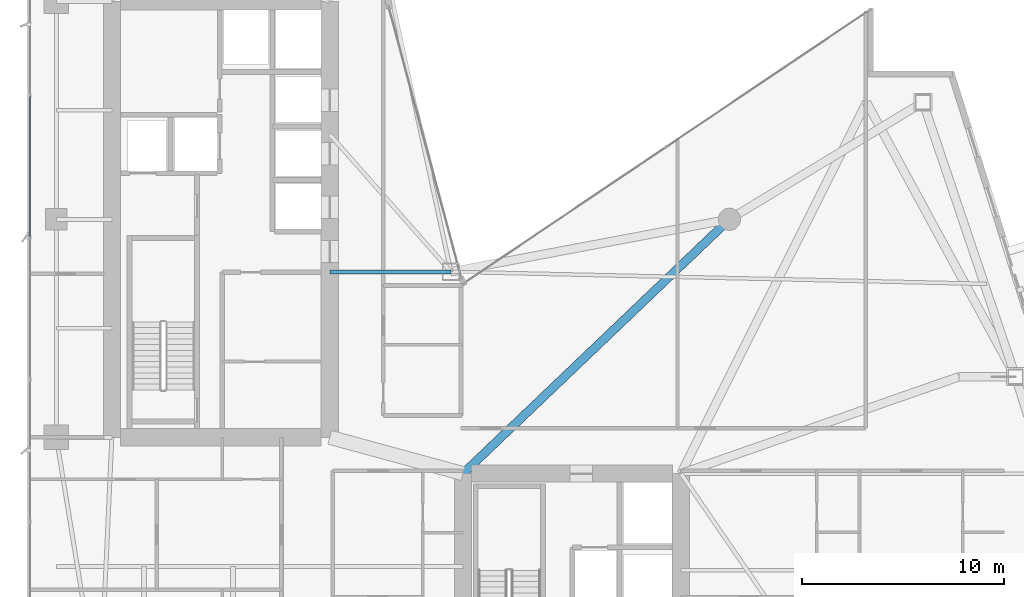
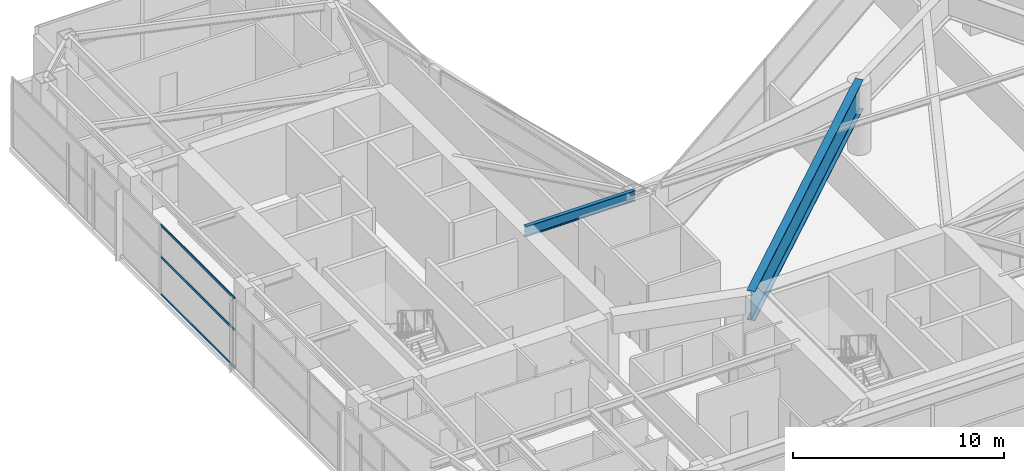
# One storey, part 10 of 30: 3 members, 2 beams, 1 element without a shape of its own.
"""IFC4 building model written with IfcOpenShell, lengths in metres."""

from ifc_helpers import new_model, si_unit, direction, frame, origin, origin_2d, place, context, subcontext, project, spatial, hollow_rectangle, i_section, extrude, material, layer, layer_set, material_profile, profile_set, type_object, element, aggregate, save


model = new_model("IFC4")

# Units and contexts
model_context = context("Model", 3, precision=1e-05, world=origin(), true_north=direction((0.0, 1.0)))
body_context = subcontext(model_context, "Body", "Model", "MODEL_VIEW")
ifc_project = project(units=[si_unit("LENGTHUNIT", "METRE"), si_unit("AREAUNIT", "SQUARE_METRE"), si_unit("VOLUMEUNIT", "CUBIC_METRE"), si_unit("PLANEANGLEUNIT", "RADIAN"), si_unit("MASSUNIT", "GRAM", prefix="KILO")], contexts=[model_context])

# Site, building, storey
site_placement = place(None, origin())
site = spatial("IfcSite", under=ifc_project, at=site_placement, CompositionType="ELEMENT")
building_placement = place(site_placement, origin())
building = spatial("IfcBuilding", under=site, at=building_placement, Name="Calvorn Quay Hotel", CompositionType="ELEMENT")
storey_placement = place(building_placement, frame((0.0, 0.0, 195.10009765625)))
storey = spatial("IfcBuildingStorey", under=building, at=storey_placement, Name="L48", CompositionType="ELEMENT", Elevation=195.10009765625)

# Beams
ifc_material_1 = material(Name="Steel Q355B", Category="steel")
ifc_material_profile_1 = material_profile(ifc_material_1, i_section(OverallWidth=0.199951171875, OverallDepth=0.60009765625, WebThickness=0.010986328125, FlangeThickness=0.01708984375, FilletRadius=0.01806640625, at=origin_2d()), Name="HN600x200x11x17")
ifc_profile_set_1 = profile_set([ifc_material_profile_1], Name="Steel Q355B")
beam_type_1 = type_object("IfcBeamType", Name="BM-GIRD-TYP", PredefinedType="BEAM", material=ifc_profile_set_1)
beam_1_placement = place(storey_placement, frame((21.0, 25.0, 3.75), z_axis=(-1.0, 0.0, 0.0), x_axis=(0.0, -1.0, 0.0)))
element("IfcBeam", 1, at=beam_1_placement, inside=storey, type_object=beam_type_1, Name="Beam BG-L48-W7", PredefinedType="BEAM", context=body_context, shape_type="SweptSolid", body=[
    extrude(i_section(OverallWidth=0.199951171875, OverallDepth=0.60009765625, WebThickness=0.010986328125, FlangeThickness=0.01708984375, FilletRadius=0.01806640625, at=origin_2d()), origin(), (0.0, 0.0, 1.0), 6.0),
])
ifc_material_2 = material(Name="Steel Q420GJC", Category="steel")
ifc_material_profile_2 = material_profile(ifc_material_2, i_section(OverallWidth=0.419921875, OverallDepth=1.699951171875, WebThickness=0.02392578125, FlangeThickness=0.0419921875, FilletRadius=0.02392578125, at=origin_2d()), Name="HN1700x420x24x42")
ifc_profile_set_2 = profile_set([ifc_material_profile_2], Name="Steel Q420GJC")
beam_type_2 = type_object("IfcBeamType", Name="BM-XFER-SAWTOOTH", PredefinedType="BEAM", material=ifc_profile_set_2)
beam_2_placement = place(storey_placement, frame((21.60009765625, 15.0, 3.199951171875), z_axis=(0.723351595578, 0.690479883252, 0.0), x_axis=(-0.690479883252, 0.723351595578, 0.0)))
element("IfcBeam", 2, at=beam_2_placement, inside=storey, type_object=beam_type_2, Name="Beam BG-L48-E4", PredefinedType="BEAM", context=body_context, shape_type="SweptSolid", body=[
    extrude(i_section(OverallWidth=0.419921875, OverallDepth=1.699951171875, WebThickness=0.02392578125, FlangeThickness=0.0419921875, FilletRadius=0.02392578125, at=origin_2d()), origin(), (0.0, 0.0, 1.0), 18.248291015625),
])

# Curtain wall, members
ifc_material_3 = material(Name="Champagne Bronze Anodised Aluminium and Low-E Glass", Category="aluminium")
ifc_layer = layer(ifc_material_3, 0.219970703125)
ifc_layer_set = layer_set([ifc_layer], Name="CW-SYS-Z3")
curtain_wall_type = type_object("IfcCurtainWallType", Name="CW-SYS-Z3", PredefinedType="NOTDEFINED", material=ifc_layer_set)
curtain_wall_placement = place(storey_placement, origin())
curtain_wall = element("IfcCurtainWall", 3, at=curtain_wall_placement, inside=storey, type_object=curtain_wall_type, Name="Tower West Curtain Wall (L48)", PredefinedType="NOTDEFINED")
ifc_material_4 = material(Name="Champagne Bronze Anodised Aluminium 6063-T6", Category="aluminium")
ifc_material_profile_3 = material_profile(ifc_material_4, hollow_rectangle(XDim=0.05810546875, YDim=0.139892578125, WallThickness=0.003173828125, at=origin_2d()), Name="ALU-T140x58x3.2")
ifc_profile_set_3 = profile_set([ifc_material_profile_3], Name="Champagne Bronze Anodised Aluminium 6063-T6")
member_type = type_object("IfcMemberType", Name="CW-SYS-Z3-TRN", PredefinedType="USERDEFINED", material=ifc_profile_set_3)
member_1_placement = place(storey_placement, frame((0.14990234375, 26.72998046875, 0.02978515625), z_axis=(0.0, 1.0, 0.0), x_axis=(-1.0, 0.0, 0.0)))
member_1 = element("IfcMember", 4, at=member_1_placement, type_object=member_type, Name="CW-L48-W transom 4.1", ObjectType="TRANSOM", PredefinedType="USERDEFINED", context=body_context, shape_type="SweptSolid", body=[
    extrude(hollow_rectangle(XDim=0.05810546875, YDim=0.139892578125, WallThickness=0.003173828125, at=origin_2d()), origin(), (0.0, 0.0, 1.0), 6.973388671875),
])
member_2_placement = place(storey_placement, frame((0.14990234375, 26.72998046875, 2.199951171875), z_axis=(0.0, 1.0, 0.0), x_axis=(-1.0, 0.0, 0.0)))
member_2 = element("IfcMember", 5, at=member_2_placement, type_object=member_type, Name="CW-L48-W transom 4.2", ObjectType="TRANSOM", PredefinedType="USERDEFINED", context=body_context, shape_type="SweptSolid", body=[
    extrude(hollow_rectangle(XDim=0.05810546875, YDim=0.139892578125, WallThickness=0.003173828125, at=origin_2d()), origin(), (0.0, 0.0, 1.0), 6.973388671875),
])
member_3_placement = place(storey_placement, frame((0.14990234375, 26.72998046875, 4.02001953125), z_axis=(0.0, 1.0, 0.0), x_axis=(-1.0, 0.0, 0.0)))
member_3 = element("IfcMember", 6, at=member_3_placement, type_object=member_type, Name="CW-L48-W transom 4.3", ObjectType="TRANSOM", PredefinedType="USERDEFINED", context=body_context, shape_type="SweptSolid", body=[
    extrude(hollow_rectangle(XDim=0.05810546875, YDim=0.139892578125, WallThickness=0.003173828125, at=origin_2d()), origin(), (0.0, 0.0, 1.0), 6.973388671875),
])
aggregate(curtain_wall, [member_1, member_2, member_3])

save(model, "model.ifc")
